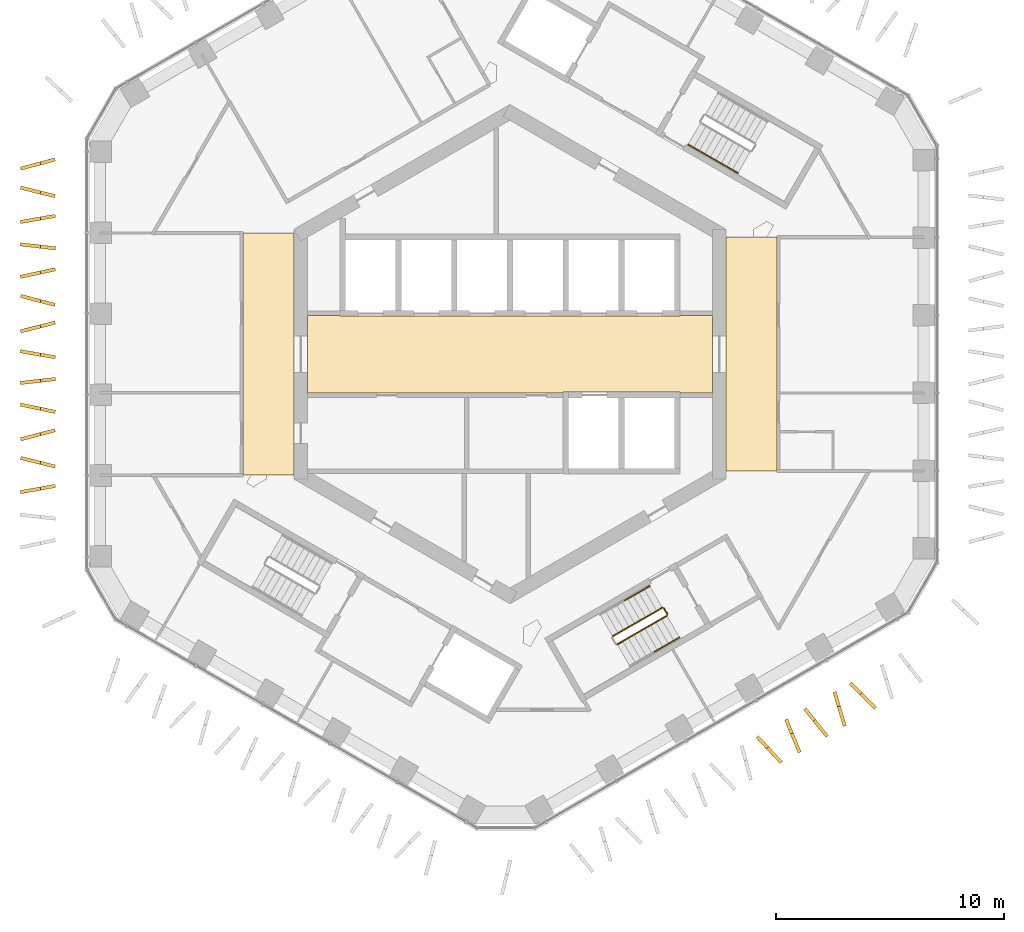
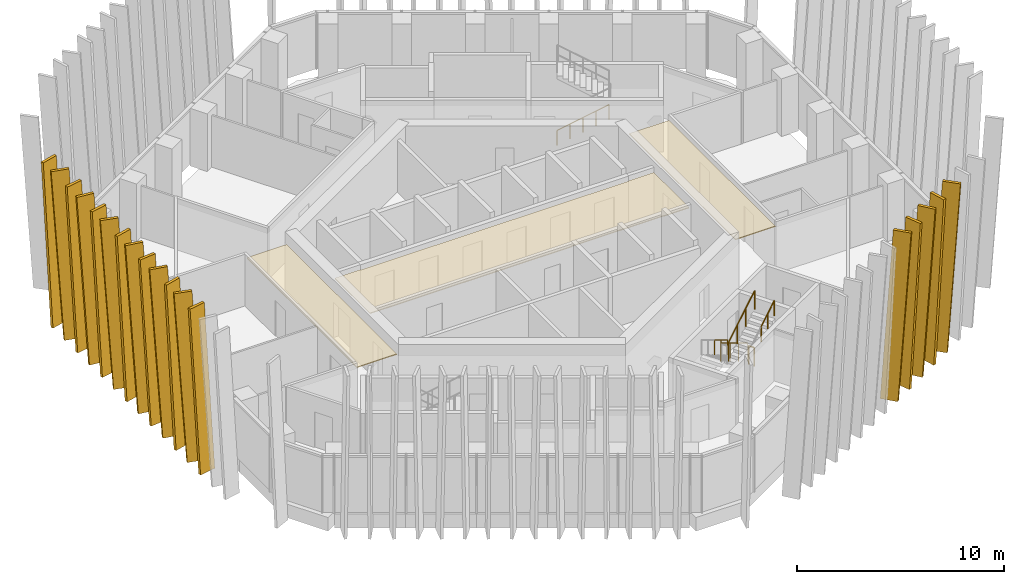
# One storey, part 18 of 20: 18 shading devices, 7 railings, 3 coverings.
"""IFC4 building model written with IfcOpenShell, lengths in metres."""

from ifc_helpers import new_model, si_unit, direction, frame, origin, origin_2d, place, context, subcontext, project, spatial, polyline, circle, outline, extrude, material, layer, layer_set, type_object, element, save


model = new_model("IFC4")

# Units and contexts
model_context = context("Model", 3, precision=1e-05, world=origin(), true_north=direction((0.0, 1.0)))
body_context = subcontext(model_context, "Body", "Model", "MODEL_VIEW")
ifc_project = project(units=[si_unit("LENGTHUNIT", "METRE"), si_unit("AREAUNIT", "SQUARE_METRE"), si_unit("VOLUMEUNIT", "CUBIC_METRE"), si_unit("PLANEANGLEUNIT", "RADIAN"), si_unit("MASSUNIT", "GRAM", prefix="KILO")], contexts=[model_context])

# Site, building, storey
site_placement = place(None, origin())
site = spatial("IfcSite", under=ifc_project, at=site_placement, CompositionType="ELEMENT")
building_placement = place(site_placement, origin())
building = spatial("IfcBuilding", under=site, at=building_placement, Name="Ayvan Gate Tower", CompositionType="ELEMENT")
storey_placement = place(building_placement, frame((0.0, 0.0, 162.89990234375)))
storey = spatial("IfcBuildingStorey", under=building, at=storey_placement, Name="L43", CompositionType="ELEMENT", Elevation=162.89990234375)

# Shading devices
ifc_material_1 = material(Name="Bronze anodised aluminium", Category="aluminium")
ifc_layer_1 = layer(ifc_material_1, 0.14990234375)
ifc_layer_set_1 = layer_set([ifc_layer_1], Name="Bronze anodised aluminium")
shading_device_type = type_object("IfcShadingDeviceType", Name="Bronze fin 900 x 150", PredefinedType="USERDEFINED", material=ifc_layer_set_1)
shading_device_1_placement = place(storey_placement, frame((-20.0107421875, 8.62646484375, 0.0), z_axis=(-0.256108802541, 0.966647948573, 0.000157420431), x_axis=(-0.96664796055, -0.256108805714, 0.0)))
element("IfcShadingDevice", 1, at=shading_device_1_placement, inside=storey, type_object=shading_device_type, Name="Bronze fin FG16.3.17", ObjectType="FIN", PredefinedType="USERDEFINED", context=body_context, shape_type="SweptSolid", body=[
    extrude(outline(polyline([(0.0, 0.0), (0.899886083016155, 0.0), (1.5640450993107633, 10.080078249898179), (0.6641590162946082, 10.080078249898179), (0.0, 0.0)])), origin(), (0.0, 0.0, -1.0), 0.14990234375),
])
shading_device_2_placement = place(storey_placement, frame((-19.970458984375, 7.013427734375, 0.0), z_axis=(0.242503709887, 0.970150468019, 0.000141751595), x_axis=(-0.970150477766, 0.242503712324, -4.663e-09)))
element("IfcShadingDevice", 2, at=shading_device_2_placement, inside=storey, type_object=shading_device_type, Name="Bronze fin FG16.3.18", ObjectType="FIN", PredefinedType="USERDEFINED", context=body_context, shape_type="SweptSolid", body=[
    extrude(outline(polyline([(0.0, 0.0), (0.8999161199482214, 6.776263578034403e-21), (1.5641653013735515, 10.080078233565619), (0.6640123282813443, 10.08007822517211), (0.0, 0.0)])), origin(), (0.0, 0.0, -1.0), 0.14990234375),
])
shading_device_3_placement = place(storey_placement, frame((-19.989013671875, 6.1484375, 0.0), z_axis=(-0.170488250759, 0.985359699094, 0.000140551996), x_axis=(-0.985359708826, -0.170488252446, 2.2037e-08)))
element("IfcShadingDevice", 3, at=shading_device_3_placement, inside=storey, type_object=shading_device_type, Name="Bronze fin FG16.3.19", ObjectType="FIN", PredefinedType="USERDEFINED", context=body_context, shape_type="SweptSolid", body=[
    extrude(outline(polyline([(0.0, 0.0), (0.8999178645617737, -3.3881317890172014e-21), (1.5641571028183658, 10.08007819009656), (0.6640402950299367, 10.080078229763233), (0.0, 0.0)])), origin(), (0.0, 0.0, -1.0), 0.14990234375),
])
shading_device_4_placement = place(storey_placement, frame((-19.9609375, 4.7197265625, 0.0), z_axis=(0.115550647734, 0.993301577471, 0.000154924311), x_axis=(-0.993301589392, 0.115550649121, 0.0)))
element("IfcShadingDevice", 4, at=shading_device_4_placement, inside=storey, type_object=shading_device_type, Name="Bronze fin FG16.3.20", ObjectType="FIN", PredefinedType="USERDEFINED", context=body_context, shape_type="SweptSolid", body=[
    extrude(outline(polyline([(0.0, 0.0), (0.9000720207219933, 0.0), (1.5642526349931216, 10.080078245968714), (0.6641806142711283, 10.080078245968714), (0.0, 0.0)])), origin(), (0.0, 0.0, -1.0), 0.14990234375),
])
shading_device_5_placement = place(storey_placement, frame((-19.997802734375, 3.798828125, 0.0), z_axis=(-0.20807450999, 0.978112967105, 0.000147899096), x_axis=(-0.978112977802, -0.208074512266, 4.175e-09)))
element("IfcShadingDevice", 5, at=shading_device_5_placement, inside=storey, type_object=shading_device_type, Name="Bronze fin FG16.3.21", ObjectType="FIN", PredefinedType="USERDEFINED", context=body_context, shape_type="SweptSolid", body=[
    extrude(outline(polyline([(0.0, 0.0), (0.8998267665735555, 3.3881317890172014e-21), (1.564084411675934, 10.080078228716797), (0.6640188479886572, 10.080078236230985), (0.0, 0.0)])), origin(), (0.0, 0.0, -1.0), 0.14990234375),
])
shading_device_6_placement = place(storey_placement, frame((-19.972412109375, 2.232666015625, 0.0), z_axis=(0.256235549003, 0.966614357966, 0.000162480993), x_axis=(-0.966614370727, 0.256235552382, 2.1305e-08)))
element("IfcShadingDevice", 6, at=shading_device_6_placement, inside=storey, type_object=shading_device_type, Name="Bronze fin FG16.3.22", ObjectType="FIN", PredefinedType="USERDEFINED", context=body_context, shape_type="SweptSolid", body=[
    extrude(outline(polyline([(0.0, 0.0), (0.8998860752802867, 0.0), (1.5640027881006997, 10.080078224736571), (0.6640541553125071, 10.080078263081766), (0.0, 0.0)])), origin(), (0.0, 0.0, -1.0), 0.14990234375),
])
shading_device_7_placement = place(storey_placement, frame((-20.0068359375, 1.45654296875, 0.0), z_axis=(-0.242790931858, 0.970078628296, 0.00013538772), x_axis=(-0.970078637187, -0.242790934083, 0.0)))
element("IfcShadingDevice", 7, at=shading_device_7_placement, inside=storey, type_object=shading_device_type, Name="Bronze fin FG16.3.23", ObjectType="FIN", PredefinedType="USERDEFINED", context=body_context, shape_type="SweptSolid", body=[
    extrude(outline(polyline([(0.0, 0.0), (0.8999753644008668, -6.776263578034403e-21), (1.5642249266565529, 10.080078217383084), (0.6642495622556861, 10.080078217383084), (0.0, 0.0)])), origin(), (0.0, 0.0, -1.0), 0.14990234375),
])
shading_device_8_placement = place(storey_placement, frame((-19.963623046875, -0.067626953125, 0.0), z_axis=(0.172663272471, 0.984980899205, 0.000150138622), x_axis=(-0.984980910307, 0.172663274415, 2.0059e-08)))
element("IfcShadingDevice", 8, at=shading_device_8_placement, inside=storey, type_object=shading_device_type, Name="Bronze fin FG16.3.24", ObjectType="FIN", PredefinedType="USERDEFINED", context=body_context, shape_type="SweptSolid", body=[
    extrude(outline(polyline([(0.0, 0.0), (0.8999705878542402, 3.3881317890172014e-21), (1.5640002331501734, 10.080078207238826), (0.6639874911762029, 10.080078243344085), (0.0, 0.0)])), origin(), (0.0, 0.0, -1.0), 0.14990234375),
])
shading_device_9_placement = place(storey_placement, frame((-19.977783203125, -1.018798828125, 0.0), z_axis=(-0.112039218832, 0.993703773804, 0.000152875033), x_axis=(-0.993703785416, -0.112039220141, 0.0)))
element("IfcShadingDevice", 9, at=shading_device_9_placement, inside=storey, type_object=shading_device_type, Name="Bronze fin FG16.3.25", ObjectType="FIN", PredefinedType="USERDEFINED", context=body_context, shape_type="SweptSolid", body=[
    extrude(outline(polyline([(0.0, 0.0), (0.8999534091546, 0.0), (1.5639748509656428, 10.080078242789627), (0.6640214418110428, 10.080078242789627), (0.0, 0.0)])), origin(), (0.0, 0.0, -1.0), 0.14990234375),
])
shading_device_10_placement = place(storey_placement, frame((-19.96630859375, -2.465087890625, 0.0), z_axis=(0.205627653326, 0.978630289411, 0.000157593116), x_axis=(-0.978630301563, 0.20562765588, -4.396e-09)))
element("IfcShadingDevice", 10, at=shading_device_10_placement, inside=storey, type_object=shading_device_type, Name="Bronze fin FG16.3.26", ObjectType="FIN", PredefinedType="USERDEFINED", context=body_context, shape_type="SweptSolid", body=[
    extrude(outline(polyline([(0.0, 0.0), (0.8998499172106434, -3.3881317890172014e-21), (1.56410358800239, 10.080078257048164), (0.664014747378279, 10.080078249135616), (0.0, 0.0)])), origin(), (0.0, 0.0, -1.0), 0.14990234375),
])
shading_device_11_placement = place(storey_placement, frame((-20.010498046875, -3.273193359375, 0.0), z_axis=(-0.25553465032, 0.966799887197, 0.000143531419), x_axis=(-0.966799897156, -0.255534652952, 0.0)))
element("IfcShadingDevice", 11, at=shading_device_11_placement, inside=storey, type_object=shading_device_type, Name="Bronze fin FG16.3.27", ObjectType="FIN", PredefinedType="USERDEFINED", context=body_context, shape_type="SweptSolid", body=[
    extrude(outline(polyline([(0.0, 0.0), (0.8999971866563695, 6.776263578034403e-21), (1.5642664057340723, 10.0800782288312), (0.6642692190777028, 10.0800782288312), (0.0, 0.0)])), origin(), (0.0, 0.0, -1.0), 0.14990234375),
])
shading_device_12_placement = place(storey_placement, frame((-19.970703125, -4.867431640625, 0.0), z_axis=(0.244258459847, 0.969710154306, 0.00014638488), x_axis=(-0.969710164697, 0.244258462461, 1.9253e-08)))
element("IfcShadingDevice", 12, at=shading_device_12_placement, inside=storey, type_object=shading_device_type, Name="Bronze fin FG16.3.28", ObjectType="FIN", PredefinedType="USERDEFINED", context=body_context, shape_type="SweptSolid", body=[
    extrude(outline(polyline([(0.0, 0.0), (0.9000357556166412, 0.0), (1.5641061282475381, 10.080078202887602), (0.6640107392172101, 10.080078237544733), (0.0, 0.0)])), origin(), (0.0, 0.0, -1.0), 0.14990234375),
])
shading_device_13_placement = place(storey_placement, frame((-19.989990234375, -5.717529296875, 0.0), z_axis=(-0.175100531377, 0.984550547844, 0.000150502969), x_axis=(-0.984550558994, -0.175100533364, 2.3675e-08)))
element("IfcShadingDevice", 13, at=shading_device_13_placement, inside=storey, type_object=shading_device_type, Name="Bronze fin FG16.3.29", ObjectType="FIN", PredefinedType="USERDEFINED", context=body_context, shape_type="SweptSolid", body=[
    extrude(outline(polyline([(0.0, 0.0), (0.899914287876665, -3.3881317890172014e-21), (1.5642272350303723, 10.080078202130313), (0.6641153275185437, 10.080078244745081), (0.0, 0.0)])), origin(), (0.0, 0.0, -1.0), 0.14990234375),
])
shading_device_14_placement = place(storey_placement, frame((10.806396484375, -16.856201171875, 0.0), z_axis=(-0.733845813369, -0.679316050527, 0.000160306131), x_axis=(0.679316059255, -0.733845822798, 0.0)))
element("IfcShadingDevice", 14, at=shading_device_14_placement, inside=storey, type_object=shading_device_type, Name="Bronze fin FG16.7.57", ObjectType="FIN", PredefinedType="USERDEFINED", context=body_context, shape_type="SweptSolid", body=[
    extrude(outline(polyline([(0.0, 0.0), (0.8999170808211545, 0.0), (1.5641244872697344, 10.080078254519208), (0.6642074064485799, 10.080078254519208), (0.0, 0.0)])), origin(), (0.0, 0.0, -1.0), 0.14990234375),
])
shading_device_15_placement = place(storey_placement, frame((12.064697265625, -16.083984375, 0.0), z_axis=(-0.92552966432, -0.378675091263, 0.000125379601), x_axis=(0.37867509424, -0.925529671595, 0.0)))
element("IfcShadingDevice", 15, at=shading_device_15_placement, inside=storey, type_object=shading_device_type, Name="Bronze fin FG16.7.58", ObjectType="FIN", PredefinedType="USERDEFINED", context=body_context, shape_type="SweptSolid", body=[
    extrude(outline(polyline([(0.0, 0.0), (0.9000336110938485, 0.0), (1.564233165847473, 10.080078204229638), (0.6641995547536247, 10.080078204229638), (0.0, 0.0)])), origin(), (0.0, 0.0, -1.0), 0.14990234375),
])
shading_device_16_placement = place(storey_placement, frame((12.8994140625, -15.629150390625, 0.0), z_axis=(-0.780180220565, -0.625554794375, 0.000150577098), x_axis=(0.625554801467, -0.78018022941, 0.0)))
element("IfcShadingDevice", 16, at=shading_device_16_placement, inside=storey, type_object=shading_device_type, Name="Bronze fin FG16.7.59", ObjectType="FIN", PredefinedType="USERDEFINED", context=body_context, shape_type="SweptSolid", body=[
    extrude(outline(polyline([(0.0, 0.0), (0.8999823515539183, 1.3552527156068805e-20), (1.5642948398896275, 10.080078239275139), (0.664312488335709, 10.080078239275139), (0.0, 0.0)])), origin(), (0.0, 0.0, -1.0), 0.14990234375),
])
shading_device_17_placement = place(storey_placement, frame((14.190673828125, -14.865234375, 0.0), z_axis=(-0.958302735953, -0.285754863381, 0.000155947842), x_axis=(0.285754866859, -0.958302747605, 2.0267e-08)))
element("IfcShadingDevice", 17, at=shading_device_17_placement, inside=storey, type_object=shading_device_type, Name="Bronze fin FG16.7.60", ObjectType="FIN", PredefinedType="USERDEFINED", context=body_context, shape_type="SweptSolid", body=[
    extrude(outline(polyline([(0.0, 0.0), (0.9001145598037589, 0.0), (1.564207712893051, 10.080078215870236), (0.6641629174610838, 10.080078252354477), (0.0, 0.0)])), origin(), (0.0, 0.0, -1.0), 0.14990234375),
])
shading_device_18_placement = place(storey_placement, frame((14.899169921875, -14.505126953125, 0.0), z_axis=(-0.70724240322, -0.706971117297, 0.000149651429), x_axis=(0.706971125213, -0.70724241114, 0.0)))
element("IfcShadingDevice", 18, at=shading_device_18_placement, inside=storey, type_object=shading_device_type, Name="Bronze fin FG16.7.61", ObjectType="FIN", PredefinedType="USERDEFINED", context=body_context, shape_type="SweptSolid", body=[
    extrude(outline(polyline([(0.0, 0.0), (0.8999384077507213, -1.3552527156068805e-20), (1.5642318058951032, 10.080078237874451), (0.6642933981443819, 10.080078237874451), (0.0, 0.0)])), origin(), (0.0, 0.0, -1.0), 0.14990234375),
])

# Coverings
ifc_material_2 = material(Name="Plasterboard suspended ceiling")
ifc_layer_2 = layer(ifc_material_2, 0.050048828125)
ifc_layer_set_2 = layer_set([ifc_layer_2], Name="Plasterboard suspended ceiling")
covering_type = type_object("IfcCoveringType", Name="CT-SUSP-50", PredefinedType="CEILING", material=ifc_layer_set_2)
covering_1_placement = place(storey_placement, frame((0.0, 0.0, 2.7001953125)))
element("IfcCovering", 19, at=covering_1_placement, inside=storey, type_object=covering_type, Name="Ceiling Lift Lobby L43", PredefinedType="CEILING", context=body_context, shape_type="SweptSolid", body=[
    extrude(outline(polyline([(7.47509765625, -1.675048828125), (2.324951171875, -1.675048828125), (2.324951171875, -1.699951171875), (-8.89990234375, -1.699951171875), (-8.89990234375, 1.699951171875), (-7.47509765625, 1.699951171875), (-7.47509765625, 1.675048828125), (7.47509765625, 1.675048828125), (7.47509765625, 1.699951171875), (8.89990234375, 1.699951171875), (8.89990234375, -1.699951171875), (7.47509765625, -1.699951171875), (7.47509765625, -1.675048828125)])), origin(), (0.0, 0.0, 1.0), 0.0498046875),
])
covering_2_placement = place(storey_placement, frame((0.0, 0.0, 2.7001953125)))
element("IfcCovering", 20, at=covering_2_placement, inside=storey, type_object=covering_type, Name="Ceiling Lift Lounge Lobby L43", PredefinedType="CEILING", context=body_context, shape_type="SweptSolid", body=[
    extrude(outline(polyline([(11.724853515625, -5.137451171875), (9.5, -5.137451171875), (9.5, 5.137451171875), (11.72509765625, 5.137451171875), (11.72509765625, -5.0625), (11.724853515625, -5.0625), (11.724853515625, -5.137451171875)])), origin(), (0.0, 0.0, 1.0), 0.0498046875),
])
covering_3_placement = place(storey_placement, frame((0.0, 0.0, 2.7001953125)))
element("IfcCovering", 21, at=covering_3_placement, inside=storey, type_object=covering_type, Name="Ceiling Lift Lounge Lobby L43", PredefinedType="CEILING", context=body_context, shape_type="SweptSolid", body=[
    extrude(outline(polyline([(-11.724853515625, -5.247314453125), (-11.72509765625, 5.322509765625), (-9.5, 5.322509765625), (-9.5, -5.322509765625), (-11.724853515625, -5.322509765625), (-11.724853515625, -5.247314453125)])), origin(), (0.0, 0.0, 1.0), 0.0498046875),
])

# Railings
ifc_material_3 = material(Name="Stainless steel balustrade", Category="steel")
railing_type_1 = type_object("IfcRailingType", Name="RL-GUARD-1100", PredefinedType="GUARDRAIL", material=ifc_material_3)
railing_1_placement = place(storey_placement, frame((6.6923828125, -11.1416015625, 0.170166015625)))
element("IfcRailing", 22, at=railing_1_placement, inside=storey, type_object=railing_type_1, Name="L43 STS3 stair guard 1", PredefinedType="GUARDRAIL", context=body_context, shape_type="SweptSolid", body=[
    extrude(circle(Radius=0.02392578125, at=origin_2d()), frame((0.0, 0.0, 1.076171875), z_axis=(-0.740261155115, -0.427395438142, 0.518986090067), x_axis=(0.500004791531, -0.866022637375, 0.0)), (0.0, 0.0, 1.0), 2.947998046875),
    extrude(circle(Radius=0.02099609375, at=origin_2d()), origin(), (0.0, 0.0, 1.0), 1.052001953125),
    extrude(circle(Radius=0.02099609375, at=origin_2d()), frame((-0.7275390625, -0.419921875, 0.510009765625)), (0.0, 0.0, 1.0), 1.052001953125),
    extrude(circle(Radius=0.02099609375, at=origin_2d()), frame((-1.454833984375, -0.840087890625, 1.02001953125)), (0.0, 0.0, 1.0), 1.052001953125),
    extrude(circle(Radius=0.02099609375, at=origin_2d()), frame((-2.182373046875, -1.260009765625, 1.530029296875)), (0.0, 0.0, 1.0), 1.052001953125),
])
railing_2_placement = place(storey_placement, frame((4.715087890625, -12.756591796875, 1.8701171875)))
element("IfcRailing", 23, at=railing_2_placement, inside=storey, type_object=railing_type_1, Name="L43 STS3 stair guard 3", PredefinedType="GUARDRAIL", context=body_context, shape_type="SweptSolid", body=[
    extrude(circle(Radius=0.02392578125, at=origin_2d()), frame((0.0, 0.0, 1.076171875), z_axis=(0.740261155115, 0.427395438142, 0.518986090067), x_axis=(-0.500004791531, 0.866022637375, 0.0)), (0.0, 0.0, 1.0), 2.947998046875),
    extrude(circle(Radius=0.02099609375, at=origin_2d()), origin(), (0.0, 0.0, 1.0), 1.052001953125),
    extrude(circle(Radius=0.02099609375, at=origin_2d()), frame((0.7275390625, 0.419921875, 0.510009765625)), (0.0, 0.0, 1.0), 1.052001953125),
    extrude(circle(Radius=0.02099609375, at=origin_2d()), frame((1.454833984375, 0.840087890625, 1.02001953125)), (0.0, 0.0, 1.0), 1.052001953125),
    extrude(circle(Radius=0.02099609375, at=origin_2d()), frame((2.182373046875, 1.260009765625, 1.530029296875)), (0.0, 0.0, 1.0), 1.052001953125),
])
railing_3_placement = place(storey_placement, frame((6.7607421875, -11.159912109375, 0.0)))
element("IfcRailing", 24, at=railing_3_placement, inside=storey, type_object=railing_type_1, Name="L43 STS3 stair guard 4", PredefinedType="GUARDRAIL", context=body_context, shape_type="SweptSolid", body=[
    extrude(circle(Radius=0.02392578125, at=origin_2d()), frame((0.0, 0.0, 1.076171875), z_axis=(0.500290723946, -0.86585748916, 0.0), x_axis=(0.86585748916, 0.500290723946, 0.0)), (0.0, 0.0, 1.0), 0.309814453125),
    extrude(circle(Radius=0.02099609375, at=origin_2d()), origin(), (0.0, 0.0, 1.0), 1.052001953125),
    extrude(circle(Radius=0.02099609375, at=origin_2d()), frame((0.155029296875, -0.268310546875, 0.0)), (0.0, 0.0, 1.0), 1.052001953125),
])
railing_type_2 = type_object("IfcRailingType", Name="RL-HANDRAIL-900", PredefinedType="HANDRAIL", material=ifc_material_3)
railing_4_placement = place(storey_placement, frame((7.8310546875, 9.2138671875, 0.170166015625)))
element("IfcRailing", 25, at=railing_4_placement, inside=storey, type_object=railing_type_2, Name="L43 STS1 stair handrail 1", PredefinedType="HANDRAIL", context=body_context, shape_type="SweptSolid", body=[
    extrude(circle(Radius=0.02392578125, at=origin_2d()), frame((0.0, 0.0, 0.8759765625), z_axis=(0.740356597536, -0.427319915356, 0.518912129772), x_axis=(0.499890179513, 0.866088799389, 0.0)), (0.0, 0.0, 1.0), 1.47412109375),
    extrude(circle(Radius=0.02099609375, at=origin_2d()), origin(), (0.0, 0.0, 1.0), 0.851806640625),
    extrude(circle(Radius=0.02099609375, at=origin_2d()), frame((0.545654296875, -0.31494140625, 0.38232421875)), (0.0, 0.0, 1.0), 0.851806640625),
    extrude(circle(Radius=0.02099609375, at=origin_2d()), frame((1.09130859375, -0.6298828125, 0.764892578125)), (0.0, 0.0, 1.0), 0.851806640625),
])
railing_5_placement = place(storey_placement, frame((8.92236328125, 8.583984375, 0.93505859375)))
element("IfcRailing", 26, at=railing_5_placement, inside=storey, type_object=railing_type_2, Name="L43 STS1 stair handrail 2", PredefinedType="HANDRAIL", context=body_context, shape_type="SweptSolid", body=[
    extrude(circle(Radius=0.02392578125, at=origin_2d()), frame((0.0, 0.0, 0.8759765625), z_axis=(0.740165700939, -0.427470949681, 0.519060037311), x_axis=(0.50011940292, 0.865956455501, 0.0)), (0.0, 0.0, 1.0), 1.47412109375),
    extrude(circle(Radius=0.02099609375, at=origin_2d()), origin(), (0.0, 0.0, 1.0), 0.851806640625),
    extrude(circle(Radius=0.02099609375, at=origin_2d()), frame((0.54541015625, -0.31494140625, 0.382568359375)), (0.0, 0.0, 1.0), 0.851806640625),
    extrude(circle(Radius=0.02099609375, at=origin_2d()), frame((1.091064453125, -0.630126953125, 0.76513671875)), (0.0, 0.0, 1.0), 0.851806640625),
])
railing_6_placement = place(storey_placement, frame((6.142333984375, -10.18896484375, 0.170166015625)))
element("IfcRailing", 27, at=railing_6_placement, inside=storey, type_object=railing_type_2, Name="L43 STS3 stair handrail 1", PredefinedType="HANDRAIL", context=body_context, shape_type="SweptSolid", body=[
    extrude(circle(Radius=0.02392578125, at=origin_2d()), frame((0.0, 0.0, 0.8759765625), z_axis=(-0.740281741151, -0.427372318678, 0.518975765278), x_axis=(0.499974077718, -0.866040369504, 0.0)), (0.0, 0.0, 1.0), 1.473876953125),
    extrude(circle(Radius=0.02099609375, at=origin_2d()), origin(), (0.0, 0.0, 1.0), 0.851806640625),
    extrude(circle(Radius=0.02099609375, at=origin_2d()), frame((-0.54541015625, -0.31494140625, 0.38232421875)), (0.0, 0.0, 1.0), 0.851806640625),
    extrude(circle(Radius=0.02099609375, at=origin_2d()), frame((-1.091064453125, -0.6298828125, 0.764892578125)), (0.0, 0.0, 1.0), 0.851806640625),
])
railing_7_placement = place(storey_placement, frame((6.356201171875, -13.0791015625, 2.635009765625)))
element("IfcRailing", 28, at=railing_7_placement, inside=storey, type_object=railing_type_2, Name="L43 STS3 stair handrail 4", PredefinedType="HANDRAIL", context=body_context, shape_type="SweptSolid", body=[
    extrude(circle(Radius=0.02392578125, at=origin_2d()), frame((0.0, 0.0, 0.8759765625), z_axis=(0.740218099111, 0.427335577468, 0.519096782863), x_axis=(-0.499974077718, 0.866040369504, 0.0)), (0.0, 0.0, 1.0), 1.473876953125),
    extrude(circle(Radius=0.02099609375, at=origin_2d()), origin(), (0.0, 0.0, 1.0), 0.851806640625),
    extrude(circle(Radius=0.02099609375, at=origin_2d()), frame((0.54541015625, 0.31494140625, 0.382568359375)), (0.0, 0.0, 1.0), 0.851806640625),
    extrude(circle(Radius=0.02099609375, at=origin_2d()), frame((1.091064453125, 0.6298828125, 0.76513671875)), (0.0, 0.0, 1.0), 0.851806640625),
])

save(model, "model.ifc")
